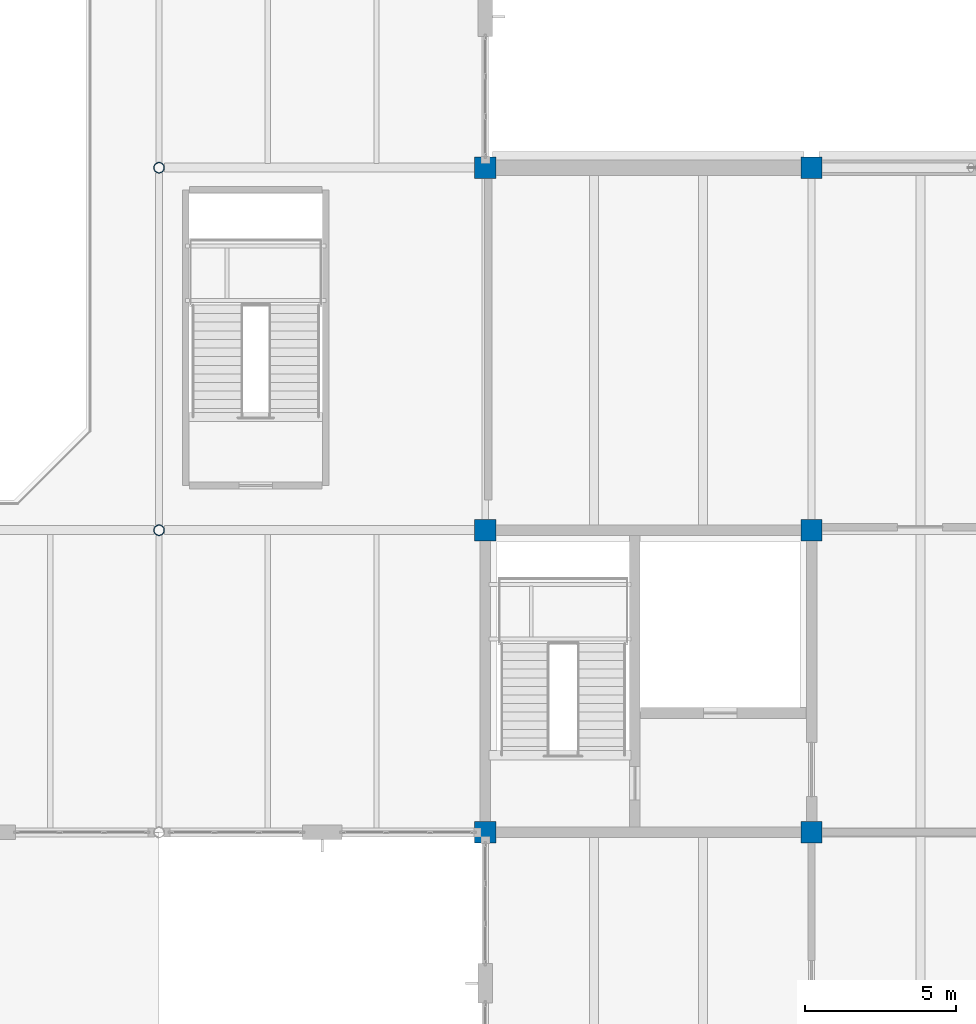
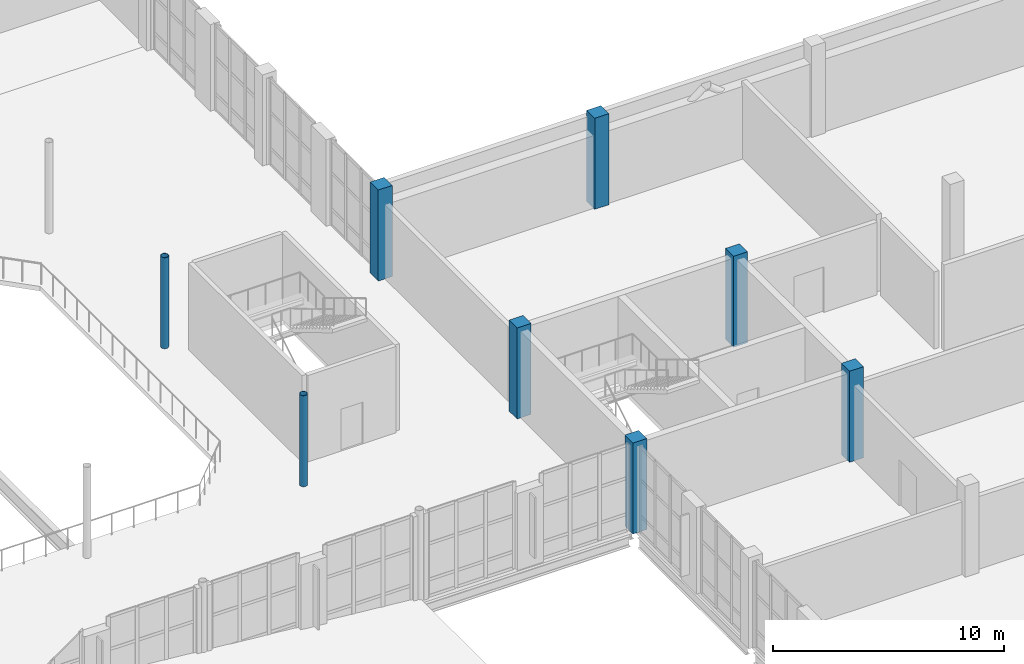
# One storey, part 7 of 92: 8 columns.
"""IFC4 building model written with IfcOpenShell, lengths in metres."""

from ifc_helpers import new_model, si_unit, direction, frame, origin, origin_2d, place, context, subcontext, project, spatial, rectangle, hollow_circle, extrude, material, material_profile, profile_set, type_object, element, save


model = new_model("IFC4")

# Units and contexts
model_context = context("Model", 3, precision=1e-05, world=origin(), true_north=direction((0.0, 1.0)))
body_context = subcontext(model_context, "Body", "Model", "MODEL_VIEW")
ifc_project = project(units=[si_unit("LENGTHUNIT", "METRE"), si_unit("AREAUNIT", "SQUARE_METRE"), si_unit("VOLUMEUNIT", "CUBIC_METRE"), si_unit("PLANEANGLEUNIT", "RADIAN"), si_unit("MASSUNIT", "GRAM", prefix="KILO")], contexts=[model_context])

# Site, building, storey
site_placement = place(None, origin())
site = spatial("IfcSite", under=ifc_project, at=site_placement, CompositionType="ELEMENT")
building_placement = place(site_placement, origin())
building = spatial("IfcBuilding", under=site, at=building_placement, Name="Tasgan Crest Museum", CompositionType="ELEMENT")
storey_placement = place(building_placement, frame((0.0, 0.0, 4.800048828125)))
storey = spatial("IfcBuildingStorey", under=building, at=storey_placement, Name="L01", CompositionType="ELEMENT", Elevation=4.800048828125)

# Columns
ifc_material_1 = material(Name="Steel S355K2", Category="steel")
ifc_material_profile_1 = material_profile(ifc_material_1, hollow_circle(Radius=0.177734375, WallThickness=0.01611328125, at=origin_2d()), Name="CHS 355.6x16")
ifc_profile_set_1 = profile_set([ifc_material_profile_1], Name="Steel S355K2")
column_type_1 = type_object("IfcColumnType", Name="COL-CHS355", PredefinedType="COLUMN", material=ifc_profile_set_1)
for number, where, z_axis, x_axis, name in (
    (1, (97.199951171875, 50.0, 0.0), (0.0, 0.0, 1.0), (1.0, 0.0, 0.0), "Column 10/F L01"),
    (2, (97.199951171875, 62.0, 0.0), (0.0, 0.0, 1.0), (1.0, 0.0, 0.0), "Column 10/G L01"),
):
    element("IfcColumn", number, at=place(storey_placement, frame(where, z_axis=z_axis, x_axis=x_axis)), inside=storey, type_object=column_type_1, Name=name, PredefinedType="COLUMN", context=body_context, shape_type="SweptSolid", body=[
        extrude(hollow_circle(Radius=0.177734375, WallThickness=0.01611328125, at=origin_2d()), origin(), (0.0, 0.0, 1.0), 4.800048828125),
    ])
ifc_material_2 = material(Name="Concrete C40/50", Category="concrete")
ifc_material_profile_2 = material_profile(ifc_material_2, rectangle(XDim=0.699951171875, YDim=0.699951171875, at=origin_2d()), Name="RC 700x700")
ifc_profile_set_2 = profile_set([ifc_material_profile_2], Name="Concrete C40/50")
column_type_2 = type_object("IfcColumnType", Name="COL-RC700", PredefinedType="COLUMN", material=ifc_profile_set_2)
for number, where, z_axis, x_axis, name in (
    (3, (108.0, 40.0, 0.0), (0.0, 0.0, 1.0), (1.0, 0.0, 0.0), "Column 11/E L01"),
    (4, (108.0, 50.0, 0.0), (0.0, 0.0, 1.0), (1.0, 0.0, 0.0), "Column 11/F L01"),
    (5, (108.0, 62.0, 0.0), (0.0, 0.0, 1.0), (1.0, 0.0, 0.0), "Column 11/G L01"),
    (6, (118.800048828125, 40.0, 0.0), (0.0, 0.0, 1.0), (1.0, 0.0, 0.0), "Column 12/E L01"),
    (7, (118.800048828125, 50.0, 0.0), (0.0, 0.0, 1.0), (1.0, 0.0, 0.0), "Column 12/F L01"),
    (8, (118.800048828125, 62.0, 0.0), (0.0, 0.0, 1.0), (1.0, 0.0, 0.0), "Column 12/G L01"),
):
    element("IfcColumn", number, at=place(storey_placement, frame(where, z_axis=z_axis, x_axis=x_axis)), inside=storey, type_object=column_type_2, Name=name, PredefinedType="COLUMN", context=body_context, shape_type="SweptSolid", body=[
        extrude(rectangle(XDim=0.699951171875, YDim=0.699951171875, at=origin_2d()), origin(), (0.0, 0.0, 1.0), 4.800048828125),
    ])

save(model, "model.ifc")
